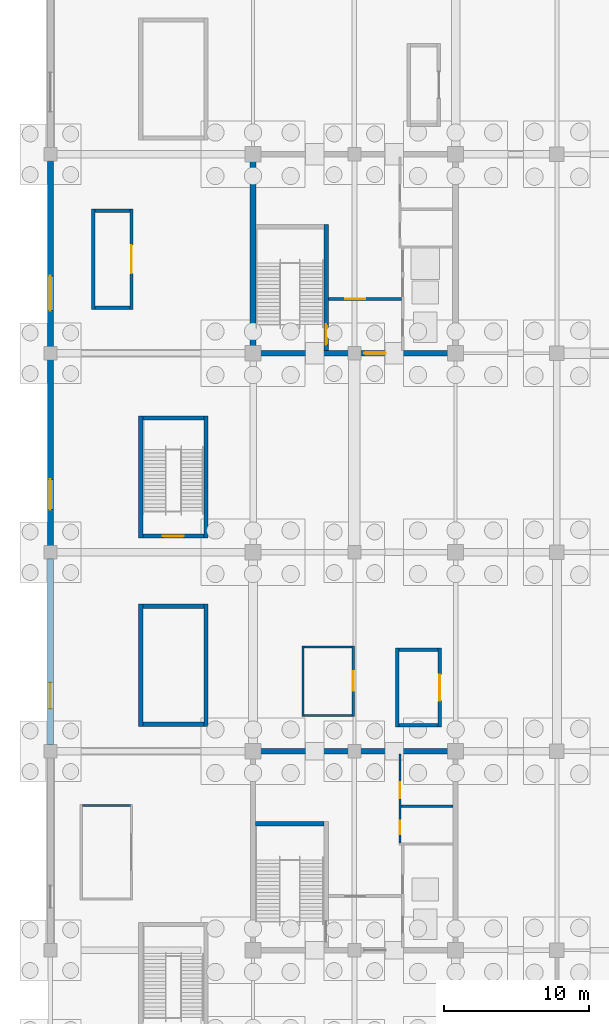
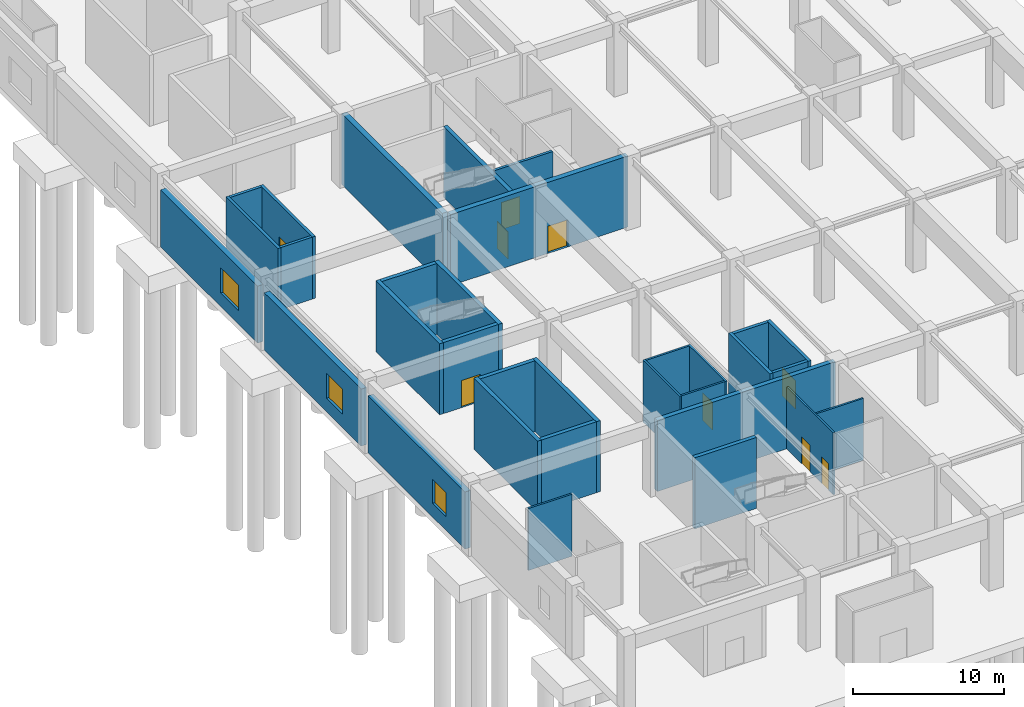
# One storey, part 41 of 62: 32 walls, 9 doors, 3 windows, 12 openings.
"""IFC4 building model written with IfcOpenShell, lengths in metres."""

from ifc_helpers import new_model, si_unit, direction, frame, frame_2d, origin, place, context, subcontext, project, spatial, rectangle, extrude, material, layer, layer_set, type_object, element, fill, save


model = new_model("IFC4")

# Units and contexts
model_context = context("Model", 3, precision=1e-05, world=origin(), true_north=direction((0.0, 1.0)))
body_context = subcontext(model_context, "Body", "Model", "MODEL_VIEW")
ifc_project = project(units=[si_unit("LENGTHUNIT", "METRE"), si_unit("AREAUNIT", "SQUARE_METRE"), si_unit("VOLUMEUNIT", "CUBIC_METRE"), si_unit("PLANEANGLEUNIT", "RADIAN"), si_unit("MASSUNIT", "GRAM", prefix="KILO")], contexts=[model_context])

# Site, building, storey
site_placement = place(None, origin())
site = spatial("IfcSite", under=ifc_project, at=site_placement, CompositionType="ELEMENT")
building_placement = place(site_placement, origin())
building = spatial("IfcBuilding", under=site, at=building_placement, Name="Linyun Crest Stadium", CompositionType="ELEMENT")
storey_placement = place(building_placement, frame((0.0, 0.0, -6.0)))
storey = spatial("IfcBuildingStorey", under=building, at=storey_placement, Name="B1", CompositionType="ELEMENT", Elevation=-6.0)

# Walls
ifc_material_1 = material(Name="Concrete C50", Category="concrete")
ifc_layer_1 = layer(ifc_material_1, 0.35009765625)
ifc_layer_set_1 = layer_set([ifc_layer_1], Name="Concrete C50")
wall_type_1 = type_object("IfcWallType", Name="CW01", PredefinedType="SHEAR", material=ifc_layer_set_1)
wall_1_placement = place(storey_placement, frame((-83.824951171875, -25.375, 0.0), z_axis=(0.0, 0.0, 1.0), x_axis=(1.0, 0.0, 0.0)))
element("IfcWall", 1, at=wall_1_placement, inside=storey, type_object=wall_type_1, Name="Core shear wall CW01 CORE-W1 B1.4", PredefinedType="SHEAR", context=body_context, shape_type="SweptSolid", body=[
    extrude(rectangle(XDim=13.64990234375, YDim=0.35009765625, at=frame_2d((6.824951171875, 0.0))), origin(), (0.0, 0.0, 1.0), 5.75),
])
ifc_material_2 = material(Name="Concrete C50", Category="concrete")
ifc_layer_2 = layer(ifc_material_2, 0.39990234375)
ifc_layer_set_2 = layer_set([ifc_layer_2], Name="Concrete C50")
wall_type_2 = type_object("IfcWallType", Name="CW02", PredefinedType="SHEAR", material=ifc_layer_set_2)
wall_2_placement = place(storey_placement, frame((-84.0, 2.324951171875, 0.0), z_axis=(0.0, 0.0, 1.0), x_axis=(0.0, 1.0, 0.0)))
element("IfcWall", 2, at=wall_2_placement, inside=storey, type_object=wall_type_2, Name="Core shear wall CW02 CORE-W2 B1.1", PredefinedType="SHEAR", context=body_context, shape_type="SweptSolid", body=[
    extrude(rectangle(XDim=13.35009765625, YDim=0.39990234375, at=frame_2d((6.675048828125, 0.0))), origin(), (0.0, 0.0, 1.0), 5.75),
])

# Wall, opening, door
wall_3_placement = place(storey_placement, frame((-83.800048828125, 2.125, 0.0), z_axis=(0.0, 0.0, 1.0), x_axis=(1.0, 0.0, 0.0)))
wall_3 = element("IfcWall", 3, at=wall_3_placement, inside=storey, type_object=wall_type_2, Name="Core shear wall CW02 CORE-W2 B1.3", PredefinedType="SHEAR", context=body_context, shape_type="SweptSolid", body=[
    extrude(rectangle(XDim=13.60009765625, YDim=0.39990234375, at=frame_2d((6.800048828125, 0.0))), origin(), (0.0, 0.0, 1.0), 5.75),
])
opening_1_placement = place(wall_3_placement, frame((7.47998046875, 0.0, 0.0)))
opening_1 = element("IfcOpeningElement", 4, at=opening_1_placement, cuts=wall_3, Name="Opening D-B1-050", PredefinedType="OPENING", context=body_context, shape_type="SweptSolid", body=[
    extrude(rectangle(XDim=1.5, YDim=2.199951171875, at=frame_2d((0.75, 1.10009765625))), frame((0.0, 0.2099609375, 0.0), z_axis=(0.0, -1.0, 0.0), x_axis=(1.0, 0.0, 0.0)), (0.0, 0.0, 1.0), 0.419921875),
])
ifc_material_3 = material(Name="Galvanized steel Class A fire door", Category="steel")
ifc_layer_3 = layer(ifc_material_3, 0.054931640625)
ifc_layer_set_3 = layer_set([ifc_layer_3], Name="Galvanized steel Class A fire door")
door_type_1 = type_object("IfcDoorType", Name="FD01", OperationType="NOTDEFINED", PredefinedType="DOOR", material=ifc_layer_set_3)
door_1_placement = place(opening_1_placement, origin())
door_1 = element("IfcDoor", 5, at=door_1_placement, inside=storey, type_object=door_type_1, Name="Door D-B1-050", OperationType="SINGLE_SWING_RIGHT", OverallHeight=2.199951171875, OverallWidth=1.5, PredefinedType="DOOR", context=body_context, shape_type="SweptSolid", body=[
    extrude(rectangle(XDim=1.5, YDim=2.199951171875, at=frame_2d((0.75, 1.10009765625))), frame((0.0, 0.02490234375, 0.0), z_axis=(0.0, -1.0, 0.0), x_axis=(1.0, 0.0, 0.0)), (0.0, 0.0, 1.0), 0.050048828125),
])
fill(opening_1, door_1)

# Wall, opening, window
ifc_material_4 = material(Name="Concrete C40 basement retaining envelope wall", Category="concrete")
ifc_layer_4 = layer(ifc_material_4, 0.419921875)
ifc_layer_set_4 = layer_set([ifc_layer_4], Name="Concrete C40 basement retaining envelope wall")
wall_type_3 = type_object("IfcWallType", Name="EW08", PredefinedType="SOLIDWALL", material=ifc_layer_set_4)
wall_4_placement = place(storey_placement, frame((-98.0, -24.93505859375, 0.0), z_axis=(0.0, 0.0, 1.0), x_axis=(0.0, 1.0, 0.0)))
wall_4 = element("IfcWall", 6, at=wall_4_placement, inside=storey, type_object=wall_type_3, Name="Exterior wall EW08 B1 5", PredefinedType="SOLIDWALL", context=body_context, shape_type="SweptSolid", body=[
    extrude(rectangle(XDim=12.8701171875, YDim=0.419921875, at=frame_2d((6.43505859375, 0.0))), origin(), (0.0, 0.0, 1.0), 4.625),
])
opening_2_placement = place(wall_4_placement, frame((2.5, 0.0, 1.10009765625)))
opening_2 = element("IfcOpeningElement", 7, at=opening_2_placement, cuts=wall_4, Name="Opening WN02", PredefinedType="OPENING", context=body_context, shape_type="SweptSolid", body=[
    extrude(rectangle(XDim=1.800048828125, YDim=1.949951171875, at=frame_2d((0.89990234375, 0.97509765625))), frame((0.0, 0.219970703125, 0.0), z_axis=(0.0, -1.0, 0.0), x_axis=(1.0, 0.0, 0.0)), (0.0, 0.0, 1.0), 0.43994140625),
])
ifc_material_5 = material(Name="Aluminium frame with double low-E glazing", Category="aluminium")
ifc_layer_5 = layer(ifc_material_5, 0.06005859375)
ifc_layer_set_5 = layer_set([ifc_layer_5], Name="Aluminium frame with double low-E glazing")
window_type_1 = type_object("IfcWindowType", Name="WN02", PartitioningType="SINGLE_PANEL", PredefinedType="WINDOW", material=ifc_layer_set_5)
window_1_placement = place(opening_2_placement, origin())
window_1 = element("IfcWindow", 8, at=window_1_placement, inside=storey, type_object=window_type_1, Name="Window WN02 B1 7", OverallHeight=1.949951171875, OverallWidth=1.800048828125, PartitioningType="SINGLE_PANEL", PredefinedType="WINDOW", context=body_context, shape_type="SweptSolid", body=[
    extrude(rectangle(XDim=1.800048828125, YDim=1.949951171875, at=frame_2d((0.89990234375, 0.97509765625))), frame((0.0, 0.030029296875, 0.0), z_axis=(0.0, -1.0, 0.0), x_axis=(1.0, 0.0, 0.0)), (0.0, 0.0, 1.0), 0.06005859375),
])
fill(opening_2, window_1)

wall_5_placement = place(storey_placement, frame((-98.0, -11.18505859375, 0.0), z_axis=(0.0, 0.0, 1.0), x_axis=(0.0, 1.0, 0.0)))
wall_5 = element("IfcWall", 9, at=wall_5_placement, inside=storey, type_object=wall_type_3, Name="Exterior wall EW08 B1 9", PredefinedType="SOLIDWALL", context=body_context, shape_type="SweptSolid", body=[
    extrude(rectangle(XDim=12.8701171875, YDim=0.419921875, at=frame_2d((6.43505859375, 0.0))), origin(), (0.0, 0.0, 1.0), 4.625),
])
opening_3_placement = place(wall_5_placement, frame((2.5, 0.0, 1.10009765625)))
opening_3 = element("IfcOpeningElement", 10, at=opening_3_placement, cuts=wall_5, Name="Opening WN03", PredefinedType="OPENING", context=body_context, shape_type="SweptSolid", body=[
    extrude(rectangle(XDim=2.10009765625, YDim=2.0, at=frame_2d((1.050048828125, 1.0))), frame((0.0, 0.219970703125, 0.0), z_axis=(0.0, -1.0, 0.0), x_axis=(1.0, 0.0, 0.0)), (0.0, 0.0, 1.0), 0.43994140625),
])
ifc_material_6 = material(Name="Aluminium frame with double low-E glazing", Category="aluminium")
ifc_layer_6 = layer(ifc_material_6, 0.06005859375)
ifc_layer_set_6 = layer_set([ifc_layer_6], Name="Aluminium frame with double low-E glazing")
window_type_2 = type_object("IfcWindowType", Name="WN03", PartitioningType="SINGLE_PANEL", PredefinedType="WINDOW", material=ifc_layer_set_6)
window_2_placement = place(opening_3_placement, origin())
window_2 = element("IfcWindow", 11, at=window_2_placement, inside=storey, type_object=window_type_2, Name="Window WN03 B1 11", OverallHeight=2.0, OverallWidth=2.10009765625, PartitioningType="SINGLE_PANEL", PredefinedType="WINDOW", context=body_context, shape_type="SweptSolid", body=[
    extrude(rectangle(XDim=2.10009765625, YDim=2.0, at=frame_2d((1.050048828125, 1.0))), frame((0.0, 0.030029296875, 0.0), z_axis=(0.0, -1.0, 0.0), x_axis=(1.0, 0.0, 0.0)), (0.0, 0.0, 1.0), 0.06005859375),
])
fill(opening_3, window_2)

wall_6_placement = place(storey_placement, frame((-98.0, 2.56494140625, 0.0), z_axis=(0.0, 0.0, 1.0), x_axis=(0.0, 1.0, 0.0)))
wall_6 = element("IfcWall", 12, at=wall_6_placement, inside=storey, type_object=wall_type_3, Name="Exterior wall EW08 B1 13", PredefinedType="SOLIDWALL", context=body_context, shape_type="SweptSolid", body=[
    extrude(rectangle(XDim=12.8701171875, YDim=0.419921875, at=frame_2d((6.43505859375, 0.0))), origin(), (0.0, 0.0, 1.0), 4.625),
])
opening_4_placement = place(wall_6_placement, frame((2.5, 0.0, 1.10009765625)))
opening_4 = element("IfcOpeningElement", 13, at=opening_4_placement, cuts=wall_6, Name="Opening WN04", PredefinedType="OPENING", context=body_context, shape_type="SweptSolid", body=[
    extrude(rectangle(XDim=2.39990234375, YDim=2.050048828125, at=frame_2d((1.199951171875, 1.02490234375))), frame((0.0, 0.219970703125, 0.0), z_axis=(0.0, -1.0, 0.0), x_axis=(1.0, 0.0, 0.0)), (0.0, 0.0, 1.0), 0.43994140625),
])
ifc_material_7 = material(Name="Aluminium frame with double low-E glazing", Category="aluminium")
ifc_layer_7 = layer(ifc_material_7, 0.06005859375)
ifc_layer_set_7 = layer_set([ifc_layer_7], Name="Aluminium frame with double low-E glazing")
window_type_3 = type_object("IfcWindowType", Name="WN04", PartitioningType="SINGLE_PANEL", PredefinedType="WINDOW", material=ifc_layer_set_7)
window_3_placement = place(opening_4_placement, origin())
window_3 = element("IfcWindow", 14, at=window_3_placement, inside=storey, type_object=window_type_3, Name="Window WN04 B1 15", OverallHeight=2.050048828125, OverallWidth=2.39990234375, PartitioningType="SINGLE_PANEL", PredefinedType="WINDOW", context=body_context, shape_type="SweptSolid", body=[
    extrude(rectangle(XDim=2.39990234375, YDim=2.050048828125, at=frame_2d((1.199951171875, 1.02490234375))), frame((0.0, 0.030029296875, 0.0), z_axis=(0.0, -1.0, 0.0), x_axis=(1.0, 0.0, 0.0)), (0.0, 0.0, 1.0), 0.06005859375),
])
fill(opening_4, window_3)

# Wall, opening, door
ifc_material_8 = material(Name="Autoclaved aerated concrete block with fireboard", Category="concrete")
ifc_layer_8 = layer(ifc_material_8, 0.199951171875)
ifc_layer_set_8 = layer_set([ifc_layer_8], Name="Autoclaved aerated concrete block with fireboard")
wall_type_4 = type_object("IfcWallType", Name="PW11", PredefinedType="PARTITIONING", material=ifc_layer_set_8)
wall_7_placement = place(storey_placement, frame((-78.800048828125, 5.875, 0.0), z_axis=(0.0, 0.0, 1.0), x_axis=(1.0, 0.0, 0.0)))
wall_7 = element("IfcWall", 15, at=wall_7_placement, inside=storey, type_object=wall_type_4, Name="Partition PW11 B1 22", PredefinedType="PARTITIONING", context=body_context, shape_type="SweptSolid", body=[
    extrude(rectangle(XDim=5.06005859375, YDim=0.199951171875, at=frame_2d((2.530029296875, 0.0))), origin(), (0.0, 0.0, 1.0), 5.02001953125),
])
opening_5_placement = place(wall_7_placement, frame((1.169921875, 0.0, 0.0)))
opening_5 = element("IfcOpeningElement", 16, at=opening_5_placement, cuts=wall_7, Name="Opening D-B1-052", PredefinedType="OPENING", context=body_context, shape_type="SweptSolid", body=[
    extrude(rectangle(XDim=1.39990234375, YDim=2.199951171875, at=frame_2d((0.699951171875, 1.10009765625))), frame((0.0, 0.10986328125, 0.0), z_axis=(0.0, -1.0, 0.0), x_axis=(1.0, 0.0, 0.0)), (0.0, 0.0, 1.0), 0.219970703125),
])
ifc_material_9 = material(Name="Galvanized steel Class B fire door", Category="steel")
ifc_layer_9 = layer(ifc_material_9, 0.054931640625)
ifc_layer_set_9 = layer_set([ifc_layer_9], Name="Galvanized steel Class B fire door")
door_type_2 = type_object("IfcDoorType", Name="FD03", OperationType="NOTDEFINED", PredefinedType="DOOR", material=ifc_layer_set_9)
door_2_placement = place(opening_5_placement, origin())
door_2 = element("IfcDoor", 17, at=door_2_placement, inside=storey, type_object=door_type_2, Name="Door D-B1-052", OperationType="SINGLE_SWING_RIGHT", OverallHeight=2.199951171875, OverallWidth=1.39990234375, PredefinedType="DOOR", context=body_context, shape_type="SweptSolid", body=[
    extrude(rectangle(XDim=1.39990234375, YDim=2.199951171875, at=frame_2d((0.699951171875, 1.10009765625))), frame((0.0, 0.02490234375, 0.0), z_axis=(0.0, -1.0, 0.0), x_axis=(1.0, 0.0, 0.0)), (0.0, 0.0, 1.0), 0.050048828125),
])
fill(opening_5, door_2)

ifc_material_10 = material(Name="Steel-stud gypsum corridor fire partition", Category="steel")
ifc_layer_10 = layer(ifc_material_10, 0.14990234375)
ifc_layer_set_10 = layer_set([ifc_layer_10], Name="Steel-stud gypsum corridor fire partition")
wall_type_5 = type_object("IfcWallType", Name="PW14", PredefinedType="PARTITIONING", material=ifc_layer_set_10)
wall_8_placement = place(storey_placement, frame((-77.069091796875, -18.089111328125, 0.0), z_axis=(0.0, 0.0, 1.0), x_axis=(0.0, -1.0, 0.0)))
wall_8 = element("IfcWall", 18, at=wall_8_placement, inside=storey, type_object=wall_type_5, Name="Partition PW14 B1 252", PredefinedType="PARTITIONING", context=body_context, shape_type="SweptSolid", body=[
    extrude(rectangle(XDim=4.889892578125, YDim=0.14990234375, at=frame_2d((2.44482421875, 0.0))), origin(), (0.0, 0.0, 1.0), 5.02001953125),
])
opening_6_placement = place(wall_8_placement, frame((1.77001953125, 0.0, 0.0)))
opening_6 = element("IfcOpeningElement", 19, at=opening_6_placement, cuts=wall_8, Name="Opening D-B1-515", PredefinedType="OPENING", context=body_context, shape_type="SweptSolid", body=[
    extrude(rectangle(XDim=1.35009765625, YDim=2.199951171875, at=frame_2d((0.675048828125, 1.10009765625))), frame((0.0, 0.0849609375, 0.0), z_axis=(0.0, -1.0, 0.0), x_axis=(1.0, 0.0, 0.0)), (0.0, 0.0, 1.0), 0.169921875),
])
ifc_material_11 = material(Name="Wide hospital-grade hygienic door")
ifc_layer_11 = layer(ifc_material_11, 0.050048828125)
ifc_layer_set_11 = layer_set([ifc_layer_11], Name="Wide hospital-grade hygienic door")
door_type_3 = type_object("IfcDoorType", Name="ID12", OperationType="NOTDEFINED", PredefinedType="DOOR", material=ifc_layer_set_11)
door_3_placement = place(opening_6_placement, origin())
door_3 = element("IfcDoor", 20, at=door_3_placement, inside=storey, type_object=door_type_3, Name="Door D-B1-515", OperationType="SINGLE_SWING_LEFT", OverallHeight=2.199951171875, OverallWidth=1.35009765625, PredefinedType="DOOR", context=body_context, shape_type="SweptSolid", body=[
    extrude(rectangle(XDim=1.35009765625, YDim=2.199951171875, at=frame_2d((0.675048828125, 1.10009765625))), frame((0.0, 0.02490234375, 0.0), z_axis=(0.0, -1.0, 0.0), x_axis=(1.0, 0.0, 0.0)), (0.0, 0.0, 1.0), 0.050048828125),
])
fill(opening_6, door_3)

# Walls
wall_9_placement = place(storey_placement, frame((-95.7919921875, -29.114013671875, 0.0), z_axis=(0.0, 0.0, 1.0), x_axis=(1.0, 0.0, 0.0)))
element("IfcWall", 21, at=wall_9_placement, inside=storey, type_object=wall_type_5, Name="Enclosure partition PW14 B1 132", PredefinedType="PARTITIONING", context=body_context, shape_type="SweptSolid", body=[
    extrude(rectangle(XDim=3.330078125, YDim=0.14990234375, at=frame_2d((1.6650390625, 0.0))), origin(), (0.0, 0.0, 1.0), 5.02001953125),
])
wall_10_placement = place(storey_placement, frame((-80.549072265625, -22.97900390625, 0.0), z_axis=(0.0, 0.0, 1.0), x_axis=(0.0, 1.0, 0.0)))
element("IfcWall", 22, at=wall_10_placement, inside=storey, type_object=wall_type_5, Name="Enclosure partition PW14 B1 472", PredefinedType="PARTITIONING", context=body_context, shape_type="SweptSolid", body=[
    extrude(rectangle(XDim=4.889892578125, YDim=0.14990234375, at=frame_2d((2.44482421875, 0.0))), origin(), (0.0, 0.0, 1.0), 5.02001953125),
])
for number, where, z_axis, x_axis, name in (
    (23, (-80.47412109375, -22.904052734375, 0.0), (0.0, 0.0, 1.0), (1.0, 0.0, 0.0), "Enclosure partition PW14 B1 473"),
    (24, (-80.47412109375, -18.1640625, 0.0), (0.0, 0.0, 1.0), (1.0, 0.0, 0.0), "Enclosure partition PW14 B1 474"),
):
    element("IfcWall", number, at=place(storey_placement, frame(where, z_axis=z_axis, x_axis=x_axis)), inside=storey, type_object=wall_type_5, Name=name, PredefinedType="PARTITIONING", context=body_context, shape_type="SweptSolid", body=[
        extrude(rectangle(XDim=3.330078125, YDim=0.14990234375, at=frame_2d((1.6650390625, 0.0))), origin(), (0.0, 0.0, 1.0), 5.02001953125),
    ])

# Wall, openings, doors
ifc_material_12 = material(Name="Moisture-resistant ceramic-tiled wet-room wall")
ifc_layer_12 = layer(ifc_material_12, 0.139892578125)
ifc_layer_set_12 = layer_set([ifc_layer_12], Name="Moisture-resistant ceramic-tiled wet-room wall")
wall_type_6 = type_object("IfcWallType", Name="PW15", PredefinedType="PARTITIONING", material=ifc_layer_set_12)
wall_11_placement = place(storey_placement, frame((-73.85009765625, -31.705078125, 0.0), z_axis=(0.0, 0.0, 1.0), x_axis=(0.0, 1.0, 0.0)))
wall_11 = element("IfcWall", 25, at=wall_11_placement, inside=storey, type_object=wall_type_6, Name="Partition PW15 B1 3", PredefinedType="PARTITIONING", context=body_context, shape_type="SweptSolid", body=[
    extrude(rectangle(XDim=6.155029296875, YDim=0.139892578125, at=frame_2d((3.07763671875, 0.0))), origin(), (0.0, 0.0, 1.0), 5.02001953125),
])
opening_7_placement = place(wall_11_placement, frame((0.580078125, 0.0, 0.0)))
opening_7 = element("IfcOpeningElement", 26, at=opening_7_placement, cuts=wall_11, Name="Opening D-B1-006", PredefinedType="OPENING", context=body_context, shape_type="SweptSolid", body=[
    extrude(rectangle(XDim=0.949951171875, YDim=2.14990234375, at=frame_2d((0.47509765625, 1.074951171875))), frame((0.0, 0.079833984375, 0.0), z_axis=(0.0, -1.0, 0.0), x_axis=(1.0, 0.0, 0.0)), (0.0, 0.0, 1.0), 0.159912109375),
])
opening_8_placement = place(wall_11_placement, frame((3.080078125, 0.0, 0.0)))
opening_8 = element("IfcOpeningElement", 27, at=opening_8_placement, cuts=wall_11, Name="Opening D-B1-007", PredefinedType="OPENING", context=body_context, shape_type="SweptSolid", body=[
    extrude(rectangle(XDim=1.10009765625, YDim=2.14990234375, at=frame_2d((0.550048828125, 1.074951171875))), frame((0.0, 0.079833984375, 0.0), z_axis=(0.0, -1.0, 0.0), x_axis=(1.0, 0.0, 0.0)), (0.0, 0.0, 1.0), 0.159912109375),
])
ifc_material_13 = material(Name="Moisture-resistant laminate leaf")
ifc_layer_13 = layer(ifc_material_13, 0.044921875)
ifc_layer_set_13 = layer_set([ifc_layer_13], Name="Moisture-resistant laminate leaf")
door_type_4 = type_object("IfcDoorType", Name="ID02", OperationType="NOTDEFINED", PredefinedType="DOOR", material=ifc_layer_set_13)
door_4_placement = place(opening_7_placement, origin())
door_4 = element("IfcDoor", 28, at=door_4_placement, inside=storey, type_object=door_type_4, Name="Door D-B1-006", OperationType="SINGLE_SWING_RIGHT", OverallHeight=2.14990234375, OverallWidth=0.949951171875, PredefinedType="DOOR", context=body_context, shape_type="SweptSolid", body=[
    extrude(rectangle(XDim=0.949951171875, YDim=2.14990234375, at=frame_2d((0.47509765625, 1.074951171875))), frame((0.0, 0.02490234375, 0.0), z_axis=(0.0, -1.0, 0.0), x_axis=(1.0, 0.0, 0.0)), (0.0, 0.0, 1.0), 0.050048828125),
])
fill(opening_7, door_4)
ifc_material_14 = material(Name="Moisture-resistant laminate leaf")
ifc_layer_14 = layer(ifc_material_14, 0.044921875)
ifc_layer_set_14 = layer_set([ifc_layer_14], Name="Moisture-resistant laminate leaf")
door_type_5 = type_object("IfcDoorType", Name="ID03", OperationType="NOTDEFINED", PredefinedType="DOOR", material=ifc_layer_set_14)
door_5_placement = place(opening_8_placement, origin())
door_5 = element("IfcDoor", 29, at=door_5_placement, inside=storey, type_object=door_type_5, Name="Door D-B1-007", OperationType="SINGLE_SWING_LEFT", OverallHeight=2.14990234375, OverallWidth=1.10009765625, PredefinedType="DOOR", context=body_context, shape_type="SweptSolid", body=[
    extrude(rectangle(XDim=1.10009765625, YDim=2.14990234375, at=frame_2d((0.550048828125, 1.074951171875))), frame((0.0, 0.02490234375, 0.0), z_axis=(0.0, -1.0, 0.0), x_axis=(1.0, 0.0, 0.0)), (0.0, 0.0, 1.0), 0.050048828125),
])
fill(opening_8, door_5)

# Wall
wall_12_placement = place(storey_placement, frame((-73.780029296875, -29.175048828125, 0.0), z_axis=(0.0, 0.0, 1.0), x_axis=(1.0, 0.0, 0.0)))
element("IfcWall", 30, at=wall_12_placement, inside=storey, type_object=wall_type_6, Name="Enclosure partition PW15 B1 2", PredefinedType="PARTITIONING", context=body_context, shape_type="SweptSolid", body=[
    extrude(rectangle(XDim=3.60498046875, YDim=0.139892578125, at=frame_2d((1.802490234375, 0.0))), origin(), (0.0, 0.0, 1.0), 5.02001953125),
])

# Wall, opening, door
ifc_material_15 = material(Name="Acoustic broadcast studio double-leaf partition")
ifc_layer_15 = layer(ifc_material_15, 0.219970703125)
ifc_layer_set_15 = layer_set([ifc_layer_15], Name="Acoustic broadcast studio double-leaf partition")
wall_type_7 = type_object("IfcWallType", Name="PW16", PredefinedType="PARTITIONING", material=ifc_layer_set_15)
wall_13_placement = place(storey_placement, frame((-92.40087890625, 12.0830078125, 0.0), z_axis=(0.0, 0.0, 1.0), x_axis=(0.0, -1.0, 0.0)))
wall_13 = element("IfcWall", 31, at=wall_13_placement, inside=storey, type_object=wall_type_7, Name="Partition PW16 B1 139", PredefinedType="PARTITIONING", context=body_context, shape_type="SweptSolid", body=[
    extrude(rectangle(XDim=6.919921875, YDim=0.219970703125, at=frame_2d((3.4599609375, 0.0))), origin(), (0.0, 0.0, 1.0), 5.02001953125),
])
opening_9_placement = place(wall_13_placement, frame((2.485107421875, 0.0, 0.0)))
opening_9 = element("IfcOpeningElement", 32, at=opening_9_placement, cuts=wall_13, Name="Opening D-B1-402", PredefinedType="OPENING", context=body_context, shape_type="SweptSolid", body=[
    extrude(rectangle(XDim=1.949951171875, YDim=2.35009765625, at=frame_2d((0.97509765625, 1.175048828125))), frame((0.0, 0.119873046875, 0.0), z_axis=(0.0, -1.0, 0.0), x_axis=(1.0, 0.0, 0.0)), (0.0, 0.0, 1.0), 0.239990234375),
])
ifc_material_16 = material(Name="Arched glazed cafe double door")
ifc_layer_16 = layer(ifc_material_16, 0.054931640625)
ifc_layer_set_16 = layer_set([ifc_layer_16], Name="Arched glazed cafe double door")
door_type_6 = type_object("IfcDoorType", Name="ID17", OperationType="NOTDEFINED", PredefinedType="DOOR", material=ifc_layer_set_16)
door_6_placement = place(opening_9_placement, origin())
door_6 = element("IfcDoor", 33, at=door_6_placement, inside=storey, type_object=door_type_6, Name="Door D-B1-402", OperationType="DOUBLE_DOOR_SINGLE_SWING", OverallHeight=2.35009765625, OverallWidth=1.949951171875, PredefinedType="DOOR", context=body_context, shape_type="SweptSolid", body=[
    extrude(rectangle(XDim=1.949951171875, YDim=2.35009765625, at=frame_2d((0.97509765625, 1.175048828125))), frame((0.0, 0.02490234375, 0.0), z_axis=(0.0, -1.0, 0.0), x_axis=(1.0, 0.0, 0.0)), (0.0, 0.0, 1.0), 0.050048828125),
])
fill(opening_9, door_6)

# Walls
wall_14_placement = place(storey_placement, frame((-95.041015625, 5.1630859375, 0.0), z_axis=(0.0, 0.0, 1.0), x_axis=(0.0, 1.0, 0.0)))
element("IfcWall", 34, at=wall_14_placement, inside=storey, type_object=wall_type_7, Name="Enclosure partition PW16 B1 133", PredefinedType="PARTITIONING", context=body_context, shape_type="SweptSolid", body=[
    extrude(rectangle(XDim=6.919921875, YDim=0.219970703125, at=frame_2d((3.4599609375, 0.0))), origin(), (0.0, 0.0, 1.0), 5.02001953125),
])
for number, where, z_axis, x_axis, name in (
    (35, (-94.930908203125, 5.27294921875, 0.0), (0.0, 0.0, 1.0), (1.0, 0.0, 0.0), "Enclosure partition PW16 B1 134"),
    (36, (-94.930908203125, 11.972900390625, 0.0), (0.0, 0.0, 1.0), (1.0, 0.0, 0.0), "Enclosure partition PW16 B1 135"),
):
    element("IfcWall", number, at=place(storey_placement, frame(where, z_axis=z_axis, x_axis=x_axis)), inside=storey, type_object=wall_type_7, Name=name, PredefinedType="PARTITIONING", context=body_context, shape_type="SweptSolid", body=[
        extrude(rectangle(XDim=2.419921875, YDim=0.219970703125, at=frame_2d((1.2099609375, 0.0))), origin(), (0.0, 0.0, 1.0), 5.02001953125),
    ])

# Wall, opening, door
ifc_material_17 = material(Name="Plant room acoustic masonry partition", Category="masonry")
ifc_layer_17 = layer(ifc_material_17, 0.2451171875)
ifc_layer_set_17 = layer_set([ifc_layer_17], Name="Plant room acoustic masonry partition")
wall_type_8 = type_object("IfcWallType", Name="PW20", PredefinedType="PARTITIONING", material=ifc_layer_set_17)
wall_15_placement = place(storey_placement, frame((-71.10400390625, -18.241943359375, 0.0), z_axis=(0.0, 0.0, 1.0), x_axis=(0.0, -1.0, 0.0)))
wall_15 = element("IfcWall", 37, at=wall_15_placement, inside=storey, type_object=wall_type_8, Name="Partition PW20 B1 143", PredefinedType="PARTITIONING", context=body_context, shape_type="SweptSolid", body=[
    extrude(rectangle(XDim=5.469970703125, YDim=0.2451171875, at=frame_2d((2.73486328125, 0.0))), origin(), (0.0, 0.0, 1.0), 5.02001953125),
])
opening_10_placement = place(wall_15_placement, frame((1.8349609375, 0.0, 0.0)))
opening_10 = element("IfcOpeningElement", 38, at=opening_10_placement, cuts=wall_15, Name="Opening D-B1-406", PredefinedType="OPENING", context=body_context, shape_type="SweptSolid", body=[
    extrude(rectangle(XDim=1.800048828125, YDim=2.300048828125, at=frame_2d((0.89990234375, 1.14990234375))), frame((0.0, 0.132568359375, 0.0), z_axis=(0.0, -1.0, 0.0), x_axis=(1.0, 0.0, 0.0)), (0.0, 0.0, 1.0), 0.26513671875),
])
ifc_material_18 = material(Name="Double-leaf steel plant fire door", Category="steel")
ifc_layer_18 = layer(ifc_material_18, 0.06005859375)
ifc_layer_set_18 = layer_set([ifc_layer_18], Name="Double-leaf steel plant fire door")
door_type_7 = type_object("IfcDoorType", Name="FD04", OperationType="NOTDEFINED", PredefinedType="DOOR", material=ifc_layer_set_18)
door_7_placement = place(opening_10_placement, origin())
door_7 = element("IfcDoor", 39, at=door_7_placement, inside=storey, type_object=door_type_7, Name="Door D-B1-406", OperationType="DOUBLE_DOOR_SINGLE_SWING", OverallHeight=2.300048828125, OverallWidth=1.800048828125, PredefinedType="DOOR", context=body_context, shape_type="SweptSolid", body=[
    extrude(rectangle(XDim=1.800048828125, YDim=2.300048828125, at=frame_2d((0.89990234375, 1.14990234375))), frame((0.0, 0.02490234375, 0.0), z_axis=(0.0, -1.0, 0.0), x_axis=(1.0, 0.0, 0.0)), (0.0, 0.0, 1.0), 0.050048828125),
])
fill(opening_10, door_7)

# Walls
wall_16_placement = place(storey_placement, frame((-74.02392578125, -23.7119140625, 0.0), z_axis=(0.0, 0.0, 1.0), x_axis=(0.0, 1.0, 0.0)))
element("IfcWall", 40, at=wall_16_placement, inside=storey, type_object=wall_type_8, Name="Enclosure partition PW20 B1 145", PredefinedType="PARTITIONING", context=body_context, shape_type="SweptSolid", body=[
    extrude(rectangle(XDim=5.469970703125, YDim=0.2451171875, at=frame_2d((2.73486328125, 0.0))), origin(), (0.0, 0.0, 1.0), 5.02001953125),
])
for number, where, z_axis, x_axis, name in (
    (41, (-73.90087890625, -23.589111328125, 0.0), (0.0, 0.0, 1.0), (1.0, 0.0, 0.0), "Enclosure partition PW20 B1 146"),
    (42, (-73.90087890625, -18.364990234375, 0.0), (0.0, 0.0, 1.0), (1.0, 0.0, 0.0), "Enclosure partition PW20 B1 147"),
):
    element("IfcWall", number, at=place(storey_placement, frame(where, z_axis=z_axis, x_axis=x_axis)), inside=storey, type_object=wall_type_8, Name=name, PredefinedType="PARTITIONING", context=body_context, shape_type="SweptSolid", body=[
        extrude(rectangle(XDim=2.673828125, YDim=0.2451171875, at=frame_2d((1.3369140625, 0.0))), origin(), (0.0, 0.0, 1.0), 5.02001953125),
    ])

# Wall, opening, door
ifc_material_19 = material(Name="Concrete C50", Category="concrete")
ifc_layer_19 = layer(ifc_material_19, 0.300048828125)
ifc_layer_set_19 = layer_set([ifc_layer_19], Name="Concrete C50")
wall_type_9 = type_object("IfcWallType", Name="SW01", PredefinedType="SHEAR", material=ifc_layer_set_19)
wall_17_placement = place(storey_placement, frame((-78.949951171875, 2.324951171875, 0.0), z_axis=(0.0, 0.0, 1.0), x_axis=(0.0, 1.0, 0.0)))
wall_17 = element("IfcWall", 43, at=wall_17_placement, inside=storey, type_object=wall_type_9, Name="Core stair east bearing wall SW01 2 B1", PredefinedType="SHEAR", context=body_context, shape_type="SweptSolid", body=[
    extrude(rectangle(XDim=8.699951171875, YDim=0.300048828125, at=frame_2d((4.35009765625, 0.0))), origin(), (0.0, 0.0, 1.0), 5.75),
])
opening_11_placement = place(wall_17_placement, frame((0.3701171875, 0.0, 0.0)))
opening_11 = element("IfcOpeningElement", 44, at=opening_11_placement, cuts=wall_17, Name="Opening D-B1-051", PredefinedType="OPENING", context=body_context, shape_type="SweptSolid", body=[
    extrude(rectangle(XDim=1.449951171875, YDim=2.199951171875, at=frame_2d((0.72509765625, 1.10009765625))), frame((0.0, 0.159912109375, 0.0), z_axis=(0.0, -1.0, 0.0), x_axis=(1.0, 0.0, 0.0)), (0.0, 0.0, 1.0), 0.320068359375),
])
ifc_material_20 = material(Name="Galvanized steel Class A fire door", Category="steel")
ifc_layer_20 = layer(ifc_material_20, 0.054931640625)
ifc_layer_set_20 = layer_set([ifc_layer_20], Name="Galvanized steel Class A fire door")
door_type_8 = type_object("IfcDoorType", Name="FD02", OperationType="NOTDEFINED", PredefinedType="DOOR", material=ifc_layer_set_20)
door_8_placement = place(opening_11_placement, origin())
door_8 = element("IfcDoor", 45, at=door_8_placement, inside=storey, type_object=door_type_8, Name="Door D-B1-051", OperationType="SINGLE_SWING_LEFT", OverallHeight=2.199951171875, OverallWidth=1.449951171875, PredefinedType="DOOR", context=body_context, shape_type="SweptSolid", body=[
    extrude(rectangle(XDim=1.449951171875, YDim=2.199951171875, at=frame_2d((0.72509765625, 1.10009765625))), frame((0.0, 0.02490234375, 0.0), z_axis=(0.0, -1.0, 0.0), x_axis=(1.0, 0.0, 0.0)), (0.0, 0.0, 1.0), 0.050048828125),
])
fill(opening_11, door_8)

# Walls
wall_18_placement = place(storey_placement, frame((-83.824951171875, -30.375, 0.0), z_axis=(0.0, 0.0, 1.0), x_axis=(1.0, 0.0, 0.0)))
element("IfcWall", 46, at=wall_18_placement, inside=storey, type_object=wall_type_9, Name="Core stair bearing wall SW01 1 B1", PredefinedType="SHEAR", context=body_context, shape_type="SweptSolid", body=[
    extrude(rectangle(XDim=4.724853515625, YDim=0.300048828125, at=frame_2d((2.3623046875, 0.0))), origin(), (0.0, 0.0, 1.0), 5.75),
])
for number, where, z_axis, x_axis, name in (
    (47, (-91.60009765625, -23.5, 0.0), (0.0, 0.0, 1.0), (1.0, 0.0, 0.0), "Stair shaft wall SW01 STR-14 B1 S"),
    (48, (-91.60009765625, -15.35009765625, 0.0), (0.0, 0.0, 1.0), (1.0, 0.0, 0.0), "Stair shaft wall SW01 STR-14 B1 N"),
):
    element("IfcWall", number, at=place(storey_placement, frame(where, z_axis=z_axis, x_axis=x_axis)), inside=storey, type_object=wall_type_9, Name=name, PredefinedType="SHEAR", context=body_context, shape_type="SweptSolid", body=[
        extrude(rectangle(XDim=4.2001953125, YDim=0.300048828125, at=frame_2d((2.10009765625, 0.0))), origin(), (0.0, 0.0, 1.0), 5.75),
    ])
for number, where, z_axis, x_axis, name in (
    (49, (-91.75, -23.64990234375, 0.0), (0.0, 0.0, 1.0), (0.0, 1.0, 0.0), "Stair shaft wall SW01 STR-14 B1 W"),
    (50, (-87.25, -23.64990234375, 0.0), (0.0, 0.0, 1.0), (0.0, 1.0, 0.0), "Stair shaft wall SW01 STR-14 B1 E"),
):
    element("IfcWall", number, at=place(storey_placement, frame(where, z_axis=z_axis, x_axis=x_axis)), inside=storey, type_object=wall_type_9, Name=name, PredefinedType="SHEAR", context=body_context, shape_type="SweptSolid", body=[
        extrude(rectangle(XDim=8.449951171875, YDim=0.300048828125, at=frame_2d((4.22509765625, 0.0))), origin(), (0.0, 0.0, 1.0), 5.75),
    ])

# Wall, opening, door
wall_19_placement = place(storey_placement, frame((-91.60009765625, -10.5, 0.0), z_axis=(0.0, 0.0, 1.0), x_axis=(1.0, 0.0, 0.0)))
wall_19 = element("IfcWall", 51, at=wall_19_placement, inside=storey, type_object=wall_type_9, Name="Stair shaft wall SW01 STR-15 B1 S", PredefinedType="SHEAR", context=body_context, shape_type="SweptSolid", body=[
    extrude(rectangle(XDim=4.2001953125, YDim=0.300048828125, at=frame_2d((2.10009765625, 0.0))), origin(), (0.0, 0.0, 1.0), 5.75),
])
opening_12_placement = place(wall_19_placement, frame((1.375, 0.0, 0.0)))
opening_12 = element("IfcOpeningElement", 52, at=opening_12_placement, cuts=wall_19, Name="Opening D-B1-551", PredefinedType="OPENING", context=body_context, shape_type="SweptSolid", body=[
    extrude(rectangle(XDim=1.449951171875, YDim=2.199951171875, at=frame_2d((0.72509765625, 1.10009765625))), frame((0.0, 0.159912109375, 0.0), z_axis=(0.0, -1.0, 0.0), x_axis=(1.0, 0.0, 0.0)), (0.0, 0.0, 1.0), 0.320068359375),
])
door_9_placement = place(opening_12_placement, origin())
door_9 = element("IfcDoor", 53, at=door_9_placement, inside=storey, type_object=door_type_8, Name="Door D-B1-551", OperationType="SINGLE_SWING_LEFT", OverallHeight=2.199951171875, OverallWidth=1.449951171875, PredefinedType="DOOR", context=body_context, shape_type="SweptSolid", body=[
    extrude(rectangle(XDim=1.449951171875, YDim=2.199951171875, at=frame_2d((0.72509765625, 1.10009765625))), frame((0.0, 0.02490234375, 0.0), z_axis=(0.0, -1.0, 0.0), x_axis=(1.0, 0.0, 0.0)), (0.0, 0.0, 1.0), 0.050048828125),
])
fill(opening_12, door_9)

# Walls
wall_20_placement = place(storey_placement, frame((-91.60009765625, -2.35009765625, 0.0), z_axis=(0.0, 0.0, 1.0), x_axis=(1.0, 0.0, 0.0)))
element("IfcWall", 54, at=wall_20_placement, inside=storey, type_object=wall_type_9, Name="Stair shaft wall SW01 STR-15 B1 N", PredefinedType="SHEAR", context=body_context, shape_type="SweptSolid", body=[
    extrude(rectangle(XDim=4.2001953125, YDim=0.300048828125, at=frame_2d((2.10009765625, 0.0))), origin(), (0.0, 0.0, 1.0), 5.75),
])
for number, where, z_axis, x_axis, name in (
    (55, (-91.75, -10.64990234375, 0.0), (0.0, 0.0, 1.0), (0.0, 1.0, 0.0), "Stair shaft wall SW01 STR-15 B1 W"),
    (56, (-87.25, -10.64990234375, 0.0), (0.0, 0.0, 1.0), (0.0, 1.0, 0.0), "Stair shaft wall SW01 STR-15 B1 E"),
):
    element("IfcWall", number, at=place(storey_placement, frame(where, z_axis=z_axis, x_axis=x_axis)), inside=storey, type_object=wall_type_9, Name=name, PredefinedType="SHEAR", context=body_context, shape_type="SweptSolid", body=[
        extrude(rectangle(XDim=8.449951171875, YDim=0.300048828125, at=frame_2d((4.22509765625, 0.0))), origin(), (0.0, 0.0, 1.0), 5.75),
    ])

save(model, "model.ifc")
